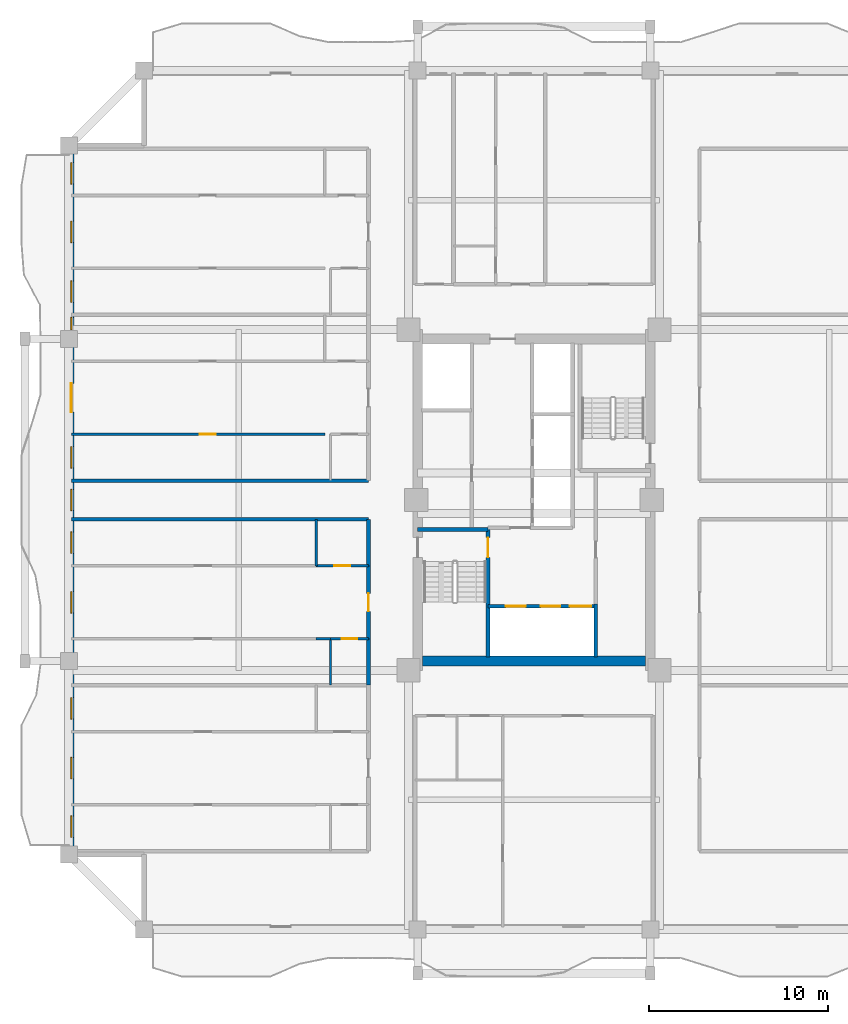
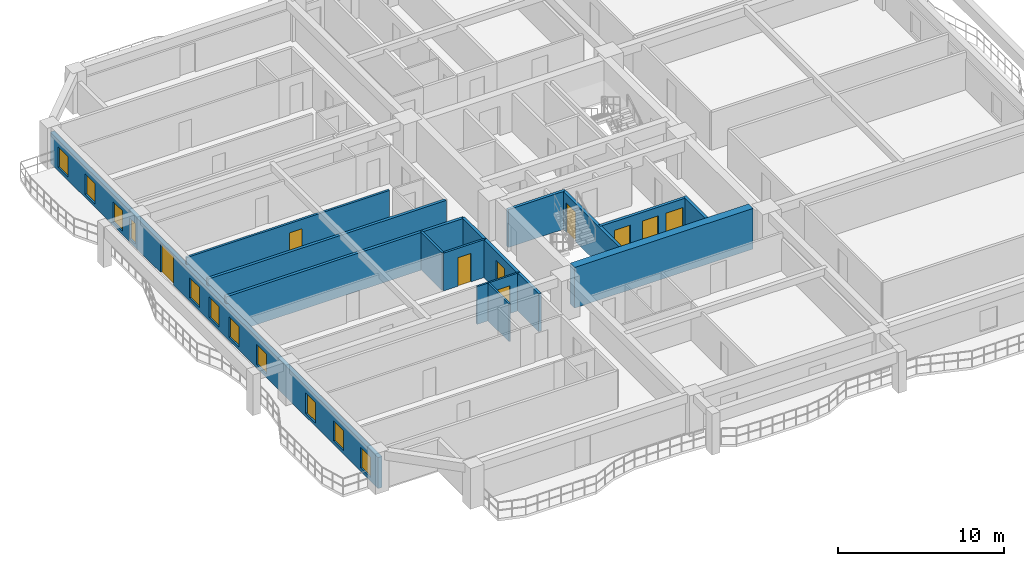
# One storey, part 3 of 11: 17 walls, 11 windows, 9 doors, 20 openings.
"""IFC4 building model written with IfcOpenShell, lengths in metres."""

from ifc_helpers import new_model, si_unit, direction, frame, frame_2d, origin, place, context, subcontext, project, spatial, rectangle, extrude, source, transform, mapped, material, layer, layer_set, type_object, element, fill, save


model = new_model("IFC4")

# Units and contexts
model_context = context("Model", 3, precision=1e-05, world=origin(), true_north=direction((0.0, 1.0)))
body_context = subcontext(model_context, "Body", "Model", "MODEL_VIEW")
ifc_project = project(units=[si_unit("LENGTHUNIT", "METRE"), si_unit("AREAUNIT", "SQUARE_METRE"), si_unit("VOLUMEUNIT", "CUBIC_METRE"), si_unit("PLANEANGLEUNIT", "RADIAN"), si_unit("MASSUNIT", "GRAM", prefix="KILO")], contexts=[model_context])

# Site, building, storey
site_placement = place(None, origin())
site = spatial("IfcSite", under=ifc_project, at=site_placement, CompositionType="ELEMENT")
building_placement = place(site_placement, origin())
building = spatial("IfcBuilding", under=site, at=building_placement, Name="Saelheon Loggia Tower", CompositionType="ELEMENT")
storey_placement = place(building_placement, frame((0.0, 0.0, 138.75)))
storey = spatial("IfcBuildingStorey", under=building, at=storey_placement, Name="L44", CompositionType="ELEMENT", Elevation=138.75)

# Wall
ifc_material_1 = material(Name="Concrete C50/60", Category="concrete")
ifc_layer_1 = layer(ifc_material_1, 0.550048828125)
ifc_layer_set_1 = layer_set([ifc_layer_1], Name="Concrete C50/60")
wall_type_1 = type_object("IfcWallType", Name="Wall_CoreShear_550", PredefinedType="SHEAR", material=ifc_layer_set_1)
wall_1_placement = place(storey_placement, frame((31.77490234375, 18.0, 0.0), z_axis=(0.0, 0.0, 1.0), x_axis=(1.0, 0.0, 0.0)))
element("IfcWall", 1, at=wall_1_placement, inside=storey, type_object=wall_type_1, Name="L44 Core Shear Wall South", PredefinedType="SHEAR", context=body_context, shape_type="SweptSolid", body=[
    extrude(rectangle(XDim=12.4501953125, YDim=0.550048828125, at=frame_2d((6.22509765625, 0.0))), origin(), (0.0, 0.0, 1.0), 3.0),
])

# Wall, openings, windows, door
ifc_material_2 = material(Name="Architectural Precast Concrete C40/50", Category="concrete")
ifc_layer_2 = layer(ifc_material_2, 0.280029296875)
ifc_layer_set_2 = layer_set([ifc_layer_2], Name="Architectural Precast Concrete C40/50")
wall_type_2 = type_object("IfcWallType", Name="Wall_Ext_Loggia_280", PredefinedType="SOLIDWALL", material=ifc_layer_set_2)
wall_2_placement = place(storey_placement, frame((12.139892578125, 7.199951171875, 0.0), z_axis=(0.0, 0.0, 1.0), x_axis=(0.0, 1.0, 0.0)))
wall_2 = element("IfcWall", 2, at=wall_2_placement, inside=storey, type_object=wall_type_2, Name="L44 West Loggia Inner Wall", PredefinedType="SOLIDWALL", context=body_context, shape_type="SweptSolid", body=[
    extrude(rectangle(XDim=39.60009765625, YDim=0.280029296875, at=frame_2d((19.800048828125, 0.0))), origin(), (0.0, 0.0, 1.0), 2.280029296875),
])
opening_1_placement = place(wall_2_placement, frame((0.9453125, 0.0, 0.25)))
opening_1 = element("IfcOpeningElement", 3, at=opening_1_placement, cuts=wall_2, Name="Opening WN-03", PredefinedType="OPENING", context=body_context, shape_type="SweptSolid", body=[
    extrude(rectangle(XDim=1.199951171875, YDim=1.5, at=frame_2d((0.60009765625, 0.75))), frame((0.0, 0.152099609375, 0.0), z_axis=(0.0, -1.0, 0.0), x_axis=(1.0, 0.0, 0.0)), (0.0, 0.0, 1.0), 0.303955078125),
])
opening_2_placement = place(wall_2_placement, frame((4.212890625, 0.0, 0.25)))
opening_2 = element("IfcOpeningElement", 4, at=opening_2_placement, cuts=wall_2, Name="Opening WN-03", PredefinedType="OPENING", context=body_context, shape_type="SweptSolid", body=[
    extrude(rectangle(XDim=1.199951171875, YDim=1.5, at=frame_2d((0.60009765625, 0.75))), frame((0.0, 0.152099609375, 0.0), z_axis=(0.0, -1.0, 0.0), x_axis=(1.0, 0.0, 0.0)), (0.0, 0.0, 1.0), 0.303955078125),
])
opening_3_placement = place(wall_2_placement, frame((7.550048828125, 0.0, 0.25)))
opening_3 = element("IfcOpeningElement", 5, at=opening_3_placement, cuts=wall_2, Name="Opening WN-03", PredefinedType="OPENING", context=body_context, shape_type="SweptSolid", body=[
    extrude(rectangle(XDim=1.199951171875, YDim=1.5, at=frame_2d((0.60009765625, 0.75))), frame((0.0, 0.152099609375, 0.0), z_axis=(0.0, -1.0, 0.0), x_axis=(1.0, 0.0, 0.0)), (0.0, 0.0, 1.0), 0.303955078125),
])
opening_4_placement = place(wall_2_placement, frame((13.48291015625, 0.0, 0.25)))
opening_4 = element("IfcOpeningElement", 6, at=opening_4_placement, cuts=wall_2, Name="Opening WN-03", PredefinedType="OPENING", context=body_context, shape_type="SweptSolid", body=[
    extrude(rectangle(XDim=1.199951171875, YDim=1.5, at=frame_2d((0.60009765625, 0.75))), frame((0.0, 0.152099609375, 0.0), z_axis=(0.0, -1.0, 0.0), x_axis=(1.0, 0.0, 0.0)), (0.0, 0.0, 1.0), 0.303955078125),
])
opening_5_placement = place(wall_2_placement, frame((16.820068359375, 0.0, 0.25)))
opening_5 = element("IfcOpeningElement", 7, at=opening_5_placement, cuts=wall_2, Name="Opening WN-03", PredefinedType="OPENING", context=body_context, shape_type="SweptSolid", body=[
    extrude(rectangle(XDim=1.199951171875, YDim=1.5, at=frame_2d((0.60009765625, 0.75))), frame((0.0, 0.152099609375, 0.0), z_axis=(0.0, -1.0, 0.0), x_axis=(1.0, 0.0, 0.0)), (0.0, 0.0, 1.0), 0.303955078125),
])
opening_6_placement = place(wall_2_placement, frame((19.199951171875, 0.0, 0.25)))
opening_6 = element("IfcOpeningElement", 8, at=opening_6_placement, cuts=wall_2, Name="Opening WN-03", PredefinedType="OPENING", context=body_context, shape_type="SweptSolid", body=[
    extrude(rectangle(XDim=1.199951171875, YDim=1.5, at=frame_2d((0.60009765625, 0.75))), frame((0.0, 0.152099609375, 0.0), z_axis=(0.0, -1.0, 0.0), x_axis=(1.0, 0.0, 0.0)), (0.0, 0.0, 1.0), 0.303955078125),
])
opening_7_placement = place(wall_2_placement, frame((21.577880859375, 0.0, 0.25)))
opening_7 = element("IfcOpeningElement", 9, at=opening_7_placement, cuts=wall_2, Name="Opening WN-03", PredefinedType="OPENING", context=body_context, shape_type="SweptSolid", body=[
    extrude(rectangle(XDim=1.199951171875, YDim=1.5, at=frame_2d((0.60009765625, 0.75))), frame((0.0, 0.152099609375, 0.0), z_axis=(0.0, -1.0, 0.0), x_axis=(1.0, 0.0, 0.0)), (0.0, 0.0, 1.0), 0.303955078125),
])
opening_8_placement = place(wall_2_placement, frame((24.712890625, 0.0, 0.0)))
opening_8 = element("IfcOpeningElement", 10, at=opening_8_placement, cuts=wall_2, Name="Opening DLG-1", PredefinedType="OPENING", context=body_context, shape_type="SweptSolid", body=[
    extrude(rectangle(XDim=1.60009765625, YDim=2.14990234375, at=frame_2d((0.800048828125, 1.074951171875))), frame((0.0, 0.152099609375, 0.0), z_axis=(0.0, -1.0, 0.0), x_axis=(1.0, 0.0, 0.0)), (0.0, 0.0, 1.0), 0.303955078125),
])
opening_9_placement = place(wall_2_placement, frame((29.304931640625, 0.0, 0.25)))
opening_9 = element("IfcOpeningElement", 11, at=opening_9_placement, cuts=wall_2, Name="Opening WN-06", PredefinedType="OPENING", context=body_context, shape_type="SweptSolid", body=[
    extrude(rectangle(XDim=0.699951171875, YDim=1.5, at=frame_2d((0.35009765625, 0.75))), frame((0.0, 0.152099609375, 0.0), z_axis=(0.0, -1.0, 0.0), x_axis=(1.0, 0.0, 0.0)), (0.0, 0.0, 1.0), 0.303955078125),
])
opening_10_placement = place(wall_2_placement, frame((30.847900390625, 0.0, 0.25)))
opening_10 = element("IfcOpeningElement", 12, at=opening_10_placement, cuts=wall_2, Name="Opening WN-03", PredefinedType="OPENING", context=body_context, shape_type="SweptSolid", body=[
    extrude(rectangle(XDim=1.199951171875, YDim=1.5, at=frame_2d((0.60009765625, 0.75))), frame((0.0, 0.152099609375, 0.0), z_axis=(0.0, -1.0, 0.0), x_axis=(1.0, 0.0, 0.0)), (0.0, 0.0, 1.0), 0.303955078125),
])
opening_11_placement = place(wall_2_placement, frame((34.182861328125, 0.0, 0.25)))
opening_11 = element("IfcOpeningElement", 13, at=opening_11_placement, cuts=wall_2, Name="Opening WN-03", PredefinedType="OPENING", context=body_context, shape_type="SweptSolid", body=[
    extrude(rectangle(XDim=1.199951171875, YDim=1.5, at=frame_2d((0.60009765625, 0.75))), frame((0.0, 0.152099609375, 0.0), z_axis=(0.0, -1.0, 0.0), x_axis=(1.0, 0.0, 0.0)), (0.0, 0.0, 1.0), 0.303955078125),
])
opening_12_placement = place(wall_2_placement, frame((37.452392578125, 0.0, 0.25)))
opening_12 = element("IfcOpeningElement", 14, at=opening_12_placement, cuts=wall_2, Name="Opening WN-03", PredefinedType="OPENING", context=body_context, shape_type="SweptSolid", body=[
    extrude(rectangle(XDim=1.199951171875, YDim=1.5, at=frame_2d((0.60009765625, 0.75))), frame((0.0, 0.152099609375, 0.0), z_axis=(0.0, -1.0, 0.0), x_axis=(1.0, 0.0, 0.0)), (0.0, 0.0, 1.0), 0.303955078125),
])
ifc_material_3 = material(Name="Thermal-Break Aluminium and Triple Low-E Glass", Category="aluminium")
window_type_1 = type_object("IfcWindowType", Name="Win_Slot_700x1500", PartitioningType="SINGLE_PANEL", PredefinedType="WINDOW", material=ifc_material_3)
shared_shape_1 = source(origin(), body_context, "Body", "SweptSolid", [
    extrude(rectangle(XDim=0.699951171875, YDim=1.5, at=frame_2d((0.35009765625, 0.75))), frame((0.0, 0.030029296875, 0.0), z_axis=(0.0, -1.0, 0.0), x_axis=(1.0, 0.0, 0.0)), (0.0, 0.0, 1.0), 0.06005859375),
])
window_1_placement = place(opening_9_placement, origin())
window_1 = element("IfcWindow", 15, at=window_1_placement, inside=storey, type_object=window_type_1, Name="L44 W Dwelling Window 9", OverallHeight=1.5, OverallWidth=0.699951171875, PartitioningType="SINGLE_PANEL", PredefinedType="WINDOW", context=body_context, shape_type="MappedRepresentation", body=[
    mapped(shared_shape_1, transform((0.0, 0.0, 0.0), scale=1.0)),
])
fill(opening_9, window_1)
window_type_2 = type_object("IfcWindowType", Name="Win_Bedroom_1200x1500", PartitioningType="SINGLE_PANEL", PredefinedType="WINDOW", material=ifc_material_3)
shared_shape_2 = source(origin(), body_context, "Body", "SweptSolid", [
    extrude(rectangle(XDim=1.199951171875, YDim=1.5, at=frame_2d((0.60009765625, 0.75))), frame((0.0, 0.030029296875, 0.0), z_axis=(0.0, -1.0, 0.0), x_axis=(1.0, 0.0, 0.0)), (0.0, 0.0, 1.0), 0.06005859375),
])
window_2_placement = place(opening_1_placement, origin())
window_2 = element("IfcWindow", 16, at=window_2_placement, inside=storey, type_object=window_type_2, Name="L44 W Dwelling Window 1", OverallHeight=1.5, OverallWidth=1.199951171875, PartitioningType="SINGLE_PANEL", PredefinedType="WINDOW", context=body_context, shape_type="MappedRepresentation", body=[
    mapped(shared_shape_2, transform((0.0, 0.0, 0.0), scale=1.0)),
])
fill(opening_1, window_2)
window_3_placement = place(opening_2_placement, origin())
window_3 = element("IfcWindow", 17, at=window_3_placement, inside=storey, type_object=window_type_2, Name="L44 W Dwelling Window 2", OverallHeight=1.5, OverallWidth=1.199951171875, PartitioningType="SINGLE_PANEL", PredefinedType="WINDOW", context=body_context, shape_type="MappedRepresentation", body=[
    mapped(shared_shape_2, transform((0.0, 0.0, 0.0), scale=1.0)),
])
fill(opening_2, window_3)
window_4_placement = place(opening_3_placement, origin())
window_4 = element("IfcWindow", 18, at=window_4_placement, inside=storey, type_object=window_type_2, Name="L44 W Dwelling Window 3", OverallHeight=1.5, OverallWidth=1.199951171875, PartitioningType="SINGLE_PANEL", PredefinedType="WINDOW", context=body_context, shape_type="MappedRepresentation", body=[
    mapped(shared_shape_2, transform((0.0, 0.0, 0.0), scale=1.0)),
])
fill(opening_3, window_4)
window_5_placement = place(opening_4_placement, origin())
window_5 = element("IfcWindow", 19, at=window_5_placement, inside=storey, type_object=window_type_2, Name="L44 W Dwelling Window 4", OverallHeight=1.5, OverallWidth=1.199951171875, PartitioningType="SINGLE_PANEL", PredefinedType="WINDOW", context=body_context, shape_type="MappedRepresentation", body=[
    mapped(shared_shape_2, transform((0.0, 0.0, 0.0), scale=1.0)),
])
fill(opening_4, window_5)
window_6_placement = place(opening_5_placement, origin())
window_6 = element("IfcWindow", 20, at=window_6_placement, inside=storey, type_object=window_type_2, Name="L44 W Dwelling Window 5", OverallHeight=1.5, OverallWidth=1.199951171875, PartitioningType="SINGLE_PANEL", PredefinedType="WINDOW", context=body_context, shape_type="MappedRepresentation", body=[
    mapped(shared_shape_2, transform((0.0, 0.0, 0.0), scale=1.0)),
])
fill(opening_5, window_6)
window_7_placement = place(opening_6_placement, origin())
window_7 = element("IfcWindow", 21, at=window_7_placement, inside=storey, type_object=window_type_2, Name="L44 W Dwelling Window 6", OverallHeight=1.5, OverallWidth=1.199951171875, PartitioningType="SINGLE_PANEL", PredefinedType="WINDOW", context=body_context, shape_type="MappedRepresentation", body=[
    mapped(shared_shape_2, transform((0.0, 0.0, 0.0), scale=1.0)),
])
fill(opening_6, window_7)
window_8_placement = place(opening_7_placement, origin())
window_8 = element("IfcWindow", 22, at=window_8_placement, inside=storey, type_object=window_type_2, Name="L44 W Dwelling Window 7", OverallHeight=1.5, OverallWidth=1.199951171875, PartitioningType="SINGLE_PANEL", PredefinedType="WINDOW", context=body_context, shape_type="MappedRepresentation", body=[
    mapped(shared_shape_2, transform((0.0, 0.0, 0.0), scale=1.0)),
])
fill(opening_7, window_8)
window_9_placement = place(opening_10_placement, origin())
window_9 = element("IfcWindow", 23, at=window_9_placement, inside=storey, type_object=window_type_2, Name="L44 W Dwelling Window 10", OverallHeight=1.5, OverallWidth=1.199951171875, PartitioningType="SINGLE_PANEL", PredefinedType="WINDOW", context=body_context, shape_type="MappedRepresentation", body=[
    mapped(shared_shape_2, transform((0.0, 0.0, 0.0), scale=1.0)),
])
fill(opening_10, window_9)
window_10_placement = place(opening_11_placement, origin())
window_10 = element("IfcWindow", 24, at=window_10_placement, inside=storey, type_object=window_type_2, Name="L44 W Dwelling Window 11", OverallHeight=1.5, OverallWidth=1.199951171875, PartitioningType="SINGLE_PANEL", PredefinedType="WINDOW", context=body_context, shape_type="MappedRepresentation", body=[
    mapped(shared_shape_2, transform((0.0, 0.0, 0.0), scale=1.0)),
])
fill(opening_11, window_10)
window_11_placement = place(opening_12_placement, origin())
window_11 = element("IfcWindow", 25, at=window_11_placement, inside=storey, type_object=window_type_2, Name="L44 W Dwelling Window 12", OverallHeight=1.5, OverallWidth=1.199951171875, PartitioningType="SINGLE_PANEL", PredefinedType="WINDOW", context=body_context, shape_type="MappedRepresentation", body=[
    mapped(shared_shape_2, transform((0.0, 0.0, 0.0), scale=1.0)),
])
fill(opening_12, window_11)
ifc_material_4 = material(Name="Thermal-Break Aluminium Sliding Glazed Door", Category="aluminium")
door_type_1 = type_object("IfcDoorType", Name="Door_LoggiaSlide_1600", OperationType="SLIDING_TO_LEFT", PredefinedType="DOOR", material=ifc_material_4)
shared_shape_3 = source(origin(), body_context, "Body", "SweptSolid", [
    extrude(rectangle(XDim=1.60009765625, YDim=2.14990234375, at=frame_2d((0.800048828125, 1.074951171875))), frame((0.0, 0.02490234375, 0.0), z_axis=(0.0, -1.0, 0.0), x_axis=(1.0, 0.0, 0.0)), (0.0, 0.0, 1.0), 0.050048828125),
])
door_1_placement = place(opening_8_placement, origin())
door_1 = element("IfcDoor", 26, at=door_1_placement, inside=storey, type_object=door_type_1, Name="L44 W Loggia Access Door", OperationType="SLIDING_TO_LEFT", OverallHeight=2.14990234375, OverallWidth=1.60009765625, PredefinedType="DOOR", context=body_context, shape_type="MappedRepresentation", body=[
    mapped(shared_shape_3, transform((0.0, 0.0, 0.0), scale=1.0)),
])
fill(opening_8, door_1)

# Wall
ifc_material_5 = material(Name="Lightweight Autoclaved Aerated Concrete Block and Acoustic Gypsum", Category="concrete")
ifc_layer_3 = layer(ifc_material_5, 0.14990234375)
ifc_layer_set_3 = layer_set([ifc_layer_3], Name="Lightweight Autoclaved Aerated Concrete Block and Acoustic Gypsum")
wall_type_3 = type_object("IfcWallType", Name="Wall_Part_150", PredefinedType="PARTITIONING", material=ifc_layer_set_3)
wall_3_placement = place(storey_placement, frame((25.830078125, 23.320068359375, 0.0), z_axis=(0.0, 0.0, 1.0), x_axis=(0.0, 1.0, 0.0)))
element("IfcWall", 27, at=wall_3_placement, inside=storey, type_object=wall_type_3, Name="L44 WS Partition V18", PredefinedType="PARTITIONING", context=body_context, shape_type="SweptSolid", body=[
    extrude(rectangle(XDim=2.599853515625, YDim=0.14990234375, at=frame_2d((1.2998046875, 0.0))), origin(), (0.0, 0.0, 1.0), 2.7900390625),
])

# Wall, opening, door
wall_4_placement = place(storey_placement, frame((28.75, 23.320068359375, 0.0), z_axis=(0.0, 0.0, 1.0), x_axis=(-1.0, 0.0, 0.0)))
wall_4 = element("IfcWall", 28, at=wall_4_placement, inside=storey, type_object=wall_type_3, Name="L44 WS Partition U22", PredefinedType="PARTITIONING", context=body_context, shape_type="SweptSolid", body=[
    extrude(rectangle(XDim=2.919921875, YDim=0.14990234375, at=frame_2d((1.4599609375, 0.0))), origin(), (0.0, 0.0, 1.0), 2.7900390625),
])
opening_13_placement = place(wall_4_placement, frame((1.010009765625, 0.0, 0.0)))
opening_13 = element("IfcOpeningElement", 29, at=opening_13_placement, cuts=wall_4, Name="Opening D-IN2", PredefinedType="OPENING", context=body_context, shape_type="SweptSolid", body=[
    extrude(rectangle(XDim=0.89990234375, YDim=2.10009765625, at=frame_2d((0.449951171875, 1.050048828125))), frame((0.0, 0.0869140625, 0.0), z_axis=(0.0, -1.0, 0.0), x_axis=(1.0, 0.0, 0.0)), (0.0, 0.0, 1.0), 0.173828125),
])
ifc_material_6 = material(Name="Engineered Oak Flush Door", Category="timber")
door_type_2 = type_object("IfcDoorType", Name="Door_Int_900", OperationType="NOTDEFINED", PredefinedType="DOOR", material=ifc_material_6)
shared_shape_4 = source(origin(), body_context, "Body", "SweptSolid", [
    extrude(rectangle(XDim=0.89990234375, YDim=2.10009765625, at=frame_2d((0.449951171875, 1.050048828125))), frame((0.0, 0.02490234375, 0.0), z_axis=(0.0, -1.0, 0.0), x_axis=(1.0, 0.0, 0.0)), (0.0, 0.0, 1.0), 0.050048828125),
])
door_2_placement = place(opening_13_placement, origin())
door_2 = element("IfcDoor", 30, at=door_2_placement, inside=storey, type_object=door_type_2, Name="Unit U03 Dressing Closet Door", OperationType="SINGLE_SWING_LEFT", OverallHeight=2.10009765625, OverallWidth=0.89990234375, PredefinedType="DOOR", context=body_context, shape_type="MappedRepresentation", body=[
    mapped(shared_shape_4, transform((0.0, 0.0, 0.0), scale=1.0)),
])
fill(opening_13, door_2)

wall_5_placement = place(storey_placement, frame((26.31005859375, 30.675537109375, 0.0), z_axis=(0.0, 0.0, 1.0), x_axis=(-1.0, 0.0, 0.0)))
wall_5 = element("IfcWall", 31, at=wall_5_placement, inside=storey, type_object=wall_type_3, Name="L44 WN Partition U09", PredefinedType="PARTITIONING", context=body_context, shape_type="SweptSolid", body=[
    extrude(rectangle(XDim=14.16015625, YDim=0.14990234375, at=frame_2d((7.080078125, 0.0))), origin(), (0.0, 0.0, 1.0), 2.7900390625),
])
opening_14_placement = place(wall_5_placement, frame((6.097412109375, 0.0, 0.0)))
opening_14 = element("IfcOpeningElement", 32, at=opening_14_placement, cuts=wall_5, Name="Opening D-IN2", PredefinedType="OPENING", context=body_context, shape_type="SweptSolid", body=[
    extrude(rectangle(XDim=0.89990234375, YDim=2.10009765625, at=frame_2d((0.449951171875, 1.050048828125))), frame((0.0, 0.0869140625, 0.0), z_axis=(0.0, -1.0, 0.0), x_axis=(1.0, 0.0, 0.0)), (0.0, 0.0, 1.0), 0.173828125),
])
door_3_placement = place(opening_14_placement, origin())
door_3 = element("IfcDoor", 33, at=door_3_placement, inside=storey, type_object=door_type_2, Name="Unit U04 Kitchen Door", OperationType="SINGLE_SWING_LEFT", OverallHeight=2.10009765625, OverallWidth=0.89990234375, PredefinedType="DOOR", context=body_context, shape_type="MappedRepresentation", body=[
    mapped(shared_shape_4, transform((0.0, 0.0, 0.0), scale=1.0)),
])
fill(opening_14, door_3)

# Walls
ifc_material_7 = material(Name="Double Acoustic Stud and Fireboard Partition", Category="gypsum")
ifc_layer_4 = layer(ifc_material_7, 0.199951171875)
ifc_layer_set_4 = layer_set([ifc_layer_4], Name="Double Acoustic Stud and Fireboard Partition")
wall_type_4 = type_object("IfcWallType", Name="Wall_Party_200", PredefinedType="PARTITIONING", material=ifc_layer_set_4)
wall_6_placement = place(storey_placement, frame((28.75, 25.919921875, 0.0), z_axis=(0.0, 0.0, 1.0), x_axis=(-1.0, 0.0, 0.0)))
element("IfcWall", 34, at=wall_6_placement, inside=storey, type_object=wall_type_4, Name="L44 WS Partition U02", PredefinedType="PARTITIONING", context=body_context, shape_type="SweptSolid", body=[
    extrude(rectangle(XDim=16.60009765625, YDim=0.199951171875, at=frame_2d((8.300048828125, 0.0))), origin(), (0.0, 0.0, 1.0), 2.7900390625),
])
wall_7_placement = place(storey_placement, frame((28.75, 16.64990234375, 0.0), z_axis=(0.0, 0.0, 1.0), x_axis=(0.0, 1.0, 0.0)))
element("IfcWall", 35, at=wall_7_placement, inside=storey, type_object=wall_type_4, Name="L44 WS Partition V14", PredefinedType="PARTITIONING", context=body_context, shape_type="SweptSolid", body=[
    extrude(rectangle(XDim=2.595703125, YDim=0.199951171875, at=frame_2d((1.2978515625, 0.0))), origin(), (0.0, 0.0, 1.0), 2.7900390625),
])

# Wall, opening, door
wall_8_placement = place(storey_placement, frame((28.75, 19.24560546875, 0.0), z_axis=(0.0, 0.0, 1.0), x_axis=(0.0, 1.0, 0.0)))
wall_8 = element("IfcWall", 36, at=wall_8_placement, inside=storey, type_object=wall_type_4, Name="L44 WS Partition V15", PredefinedType="PARTITIONING", context=body_context, shape_type="SweptSolid", body=[
    extrude(rectangle(XDim=4.074462890625, YDim=0.199951171875, at=frame_2d((2.037109375, 0.0))), origin(), (0.0, 0.0, 1.0), 2.7900390625),
])
opening_15_placement = place(wall_8_placement, frame((1.537109375, 0.0, 0.0)))
opening_15 = element("IfcOpeningElement", 37, at=opening_15_placement, cuts=wall_8, Name="Opening D-FD1", PredefinedType="OPENING", context=body_context, shape_type="SweptSolid", body=[
    extrude(rectangle(XDim=1.0, YDim=2.14990234375, at=frame_2d((0.5, 1.074951171875))), frame((0.0, 0.112060546875, 0.0), z_axis=(0.0, -1.0, 0.0), x_axis=(1.0, 0.0, 0.0)), (0.0, 0.0, 1.0), 0.223876953125),
])
ifc_material_8 = material(Name="Fire-Rated Engineered Timber Entrance Door", Category="wood")
door_type_3 = type_object("IfcDoorType", Name="Door_Flat_FD30S", OperationType="NOTDEFINED", PredefinedType="DOOR", material=ifc_material_8)
shared_shape_5 = source(origin(), body_context, "Body", "SweptSolid", [
    extrude(rectangle(XDim=1.0, YDim=2.14990234375, at=frame_2d((0.5, 1.074951171875))), frame((0.0, 0.02490234375, 0.0), z_axis=(0.0, -1.0, 0.0), x_axis=(1.0, 0.0, 0.0)), (0.0, 0.0, 1.0), 0.050048828125),
])
door_4_placement = place(opening_15_placement, origin())
door_4 = element("IfcDoor", 38, at=door_4_placement, inside=storey, type_object=door_type_3, Name="Unit U03 Entrance Door", OperationType="SINGLE_SWING_RIGHT", OverallHeight=2.14990234375, OverallWidth=1.0, PredefinedType="DOOR", context=body_context, shape_type="MappedRepresentation", body=[
    mapped(shared_shape_5, transform((0.0, 0.0, 0.0), scale=1.0)),
])
fill(opening_15, door_4)

# Walls
wall_9_placement = place(storey_placement, frame((28.75, 23.320068359375, 0.0), z_axis=(0.0, 0.0, 1.0), x_axis=(0.0, 1.0, 0.0)))
element("IfcWall", 39, at=wall_9_placement, inside=storey, type_object=wall_type_4, Name="L44 WS Partition V16", PredefinedType="PARTITIONING", context=body_context, shape_type="SweptSolid", body=[
    extrude(rectangle(XDim=2.599853515625, YDim=0.199951171875, at=frame_2d((1.2998046875, 0.0))), origin(), (0.0, 0.0, 1.0), 2.7900390625),
])
wall_10_placement = place(storey_placement, frame((28.75, 28.080078125, 0.0), z_axis=(0.0, 0.0, 1.0), x_axis=(-1.0, 0.0, 0.0)))
element("IfcWall", 40, at=wall_10_placement, inside=storey, type_object=wall_type_4, Name="L44 WN Partition U01", PredefinedType="PARTITIONING", context=body_context, shape_type="SweptSolid", body=[
    extrude(rectangle(XDim=16.60009765625, YDim=0.199951171875, at=frame_2d((8.300048828125, 0.0))), origin(), (0.0, 0.0, 1.0), 2.7900390625),
])
ifc_material_9 = material(Name="Concrete C40/50", Category="concrete")
ifc_layer_5 = layer(ifc_material_9, 0.199951171875)
ifc_layer_set_5 = layer_set([ifc_layer_5], Name="Concrete C40/50")
wall_type_5 = type_object("IfcWallType", Name="Wall_Shaft_200", PredefinedType="PARTITIONING", material=ifc_layer_set_5)
wall_11_placement = place(storey_placement, frame((41.449951171875, 18.219970703125, 0.0), z_axis=(0.0, 0.0, 1.0), x_axis=(0.0, 1.0, 0.0)))
element("IfcWall", 41, at=wall_11_placement, inside=storey, type_object=wall_type_5, Name="CW-INT-L44-BOH-W0", PredefinedType="PARTITIONING", context=body_context, shape_type="SweptSolid", body=[
    extrude(rectangle(XDim=2.9599609375, YDim=0.199951171875, at=frame_2d((1.47998046875, 0.0))), origin(), (0.0, 0.0, 1.0), 2.7900390625),
])

# Wall, openings, doors
wall_12_placement = place(storey_placement, frame((35.429931640625, 21.06005859375, 0.0), z_axis=(0.0, 0.0, 1.0), x_axis=(1.0, 0.0, 0.0)))
wall_12 = element("IfcWall", 42, at=wall_12_placement, inside=storey, type_object=wall_type_5, Name="L44 Firefighting Lift Shaft Front Wall", PredefinedType="PARTITIONING", context=body_context, shape_type="SweptSolid", body=[
    extrude(rectangle(XDim=6.02001953125, YDim=0.199951171875, at=frame_2d((3.010009765625, 0.0))), origin(), (0.0, 0.0, 1.0), 2.7900390625),
])
opening_16_placement = place(wall_12_placement, frame((1.0, 0.0, 0.0)))
opening_16 = element("IfcOpeningElement", 43, at=opening_16_placement, cuts=wall_12, Name="Opening LD2", PredefinedType="OPENING", context=body_context, shape_type="SweptSolid", body=[
    extrude(rectangle(XDim=1.10009765625, YDim=2.14990234375, at=frame_2d((0.550048828125, 1.074951171875))), frame((0.0, 0.112060546875, 0.0), z_axis=(0.0, -1.0, 0.0), x_axis=(1.0, 0.0, 0.0)), (0.0, 0.0, 1.0), 0.223876953125),
])
opening_17_placement = place(wall_12_placement, frame((2.949951171875, 0.0, 0.0)))
opening_17 = element("IfcOpeningElement", 44, at=opening_17_placement, cuts=wall_12, Name="Opening LD2", PredefinedType="OPENING", context=body_context, shape_type="SweptSolid", body=[
    extrude(rectangle(XDim=1.10009765625, YDim=2.14990234375, at=frame_2d((0.550048828125, 1.074951171875))), frame((0.0, 0.112060546875, 0.0), z_axis=(0.0, -1.0, 0.0), x_axis=(1.0, 0.0, 0.0)), (0.0, 0.0, 1.0), 0.223876953125),
])
opening_18_placement = place(wall_12_placement, frame((4.580078125, 0.0, 0.0)))
opening_18 = element("IfcOpeningElement", 45, at=opening_18_placement, cuts=wall_12, Name="Opening LD3", PredefinedType="OPENING", context=body_context, shape_type="SweptSolid", body=[
    extrude(rectangle(XDim=1.199951171875, YDim=2.14990234375, at=frame_2d((0.60009765625, 1.074951171875))), frame((0.0, 0.112060546875, 0.0), z_axis=(0.0, -1.0, 0.0), x_axis=(1.0, 0.0, 0.0)), (0.0, 0.0, 1.0), 0.223876953125),
])
ifc_material_10 = material(Name="Firefighting Stainless Steel 316 Landing Door", Category="steel")
door_type_4 = type_object("IfcDoorType", Name="Door_Lift_LD2", OperationType="DOUBLE_DOOR_SLIDING", PredefinedType="DOOR", material=ifc_material_10)
shared_shape_6 = source(origin(), body_context, "Body", "SweptSolid", [
    extrude(rectangle(XDim=1.10009765625, YDim=2.14990234375, at=frame_2d((0.550048828125, 1.074951171875))), frame((0.0, 0.02490234375, 0.0), z_axis=(0.0, -1.0, 0.0), x_axis=(1.0, 0.0, 0.0)), (0.0, 0.0, 1.0), 0.050048828125),
])
door_5_placement = place(opening_16_placement, origin())
door_5 = element("IfcDoor", 46, at=door_5_placement, inside=storey, type_object=door_type_4, Name="L44 FF1 Landing Door", OperationType="DOUBLE_DOOR_SLIDING", OverallHeight=2.14990234375, OverallWidth=1.10009765625, PredefinedType="DOOR", context=body_context, shape_type="MappedRepresentation", body=[
    mapped(shared_shape_6, transform((0.0, 0.0, 0.0), scale=1.0)),
])
fill(opening_16, door_5)
door_6_placement = place(opening_17_placement, origin())
door_6 = element("IfcDoor", 47, at=door_6_placement, inside=storey, type_object=door_type_4, Name="L44 FF2 Landing Door", OperationType="DOUBLE_DOOR_SLIDING", OverallHeight=2.14990234375, OverallWidth=1.10009765625, PredefinedType="DOOR", context=body_context, shape_type="MappedRepresentation", body=[
    mapped(shared_shape_6, transform((0.0, 0.0, 0.0), scale=1.0)),
])
fill(opening_17, door_6)
ifc_material_11 = material(Name="Stretcher Lift Stainless Steel 304 Landing Door", Category="steel")
door_type_5 = type_object("IfcDoorType", Name="Door_Lift_LD3", OperationType="DOUBLE_DOOR_SLIDING", PredefinedType="DOOR", material=ifc_material_11)
shared_shape_7 = source(origin(), body_context, "Body", "SweptSolid", [
    extrude(rectangle(XDim=1.199951171875, YDim=2.14990234375, at=frame_2d((0.60009765625, 1.074951171875))), frame((0.0, 0.02490234375, 0.0), z_axis=(0.0, -1.0, 0.0), x_axis=(1.0, 0.0, 0.0)), (0.0, 0.0, 1.0), 0.050048828125),
])
door_7_placement = place(opening_18_placement, origin())
door_7 = element("IfcDoor", 48, at=door_7_placement, inside=storey, type_object=door_type_5, Name="L44 SV1 Landing Door", OperationType="DOUBLE_DOOR_SLIDING", OverallHeight=2.14990234375, OverallWidth=1.199951171875, PredefinedType="DOOR", context=body_context, shape_type="MappedRepresentation", body=[
    mapped(shared_shape_7, transform((0.0, 0.0, 0.0), scale=1.0)),
])
fill(opening_18, door_7)

# Wall, opening, door
ifc_material_12 = material(Name="Concrete C45/55", Category="concrete")
ifc_layer_6 = layer(ifc_material_12, 0.199951171875)
ifc_layer_set_6 = layer_set([ifc_layer_6], Name="Concrete C45/55")
wall_type_6 = type_object("IfcWallType", Name="Wall_StairShaft_RC200", PredefinedType="SOLIDWALL", material=ifc_layer_set_6)
wall_13_placement = place(storey_placement, frame((35.429931640625, 18.219970703125, 0.0), z_axis=(0.0, 0.0, 1.0), x_axis=(0.0, 1.0, 0.0)))
wall_13 = element("IfcWall", 49, at=wall_13_placement, inside=storey, type_object=wall_type_6, Name="L44 Stair ST1 Shaft Wall", PredefinedType="SOLIDWALL", context=body_context, shape_type="SweptSolid", body=[
    extrude(rectangle(XDim=7.219970703125, YDim=0.199951171875, at=frame_2d((3.60986328125, 0.0))), origin(), (0.0, 0.0, 1.0), 2.7900390625),
])
opening_19_placement = place(wall_13_placement, frame((6.68017578125, 0.0, 0.0), z_axis=(0.0, 0.0, 1.0), x_axis=(-1.0, 0.0, 0.0)))
opening_19 = element("IfcOpeningElement", 50, at=opening_19_placement, cuts=wall_13, Name="Opening D-FD2", PredefinedType="OPENING", context=body_context, shape_type="SweptSolid", body=[
    extrude(rectangle(XDim=1.10009765625, YDim=2.14990234375, at=frame_2d((0.550048828125, 1.074951171875))), frame((0.0, 0.112060546875, 0.0), z_axis=(0.0, -1.0, 0.0), x_axis=(1.0, 0.0, 0.0)), (0.0, 0.0, 1.0), 0.223876953125),
])
ifc_material_13 = material(Name="Galvanised Steel Fire Door", Category="steel")
door_type_6 = type_object("IfcDoorType", Name="Door_Fire_FD60_1100", OperationType="NOTDEFINED", PredefinedType="DOOR", material=ifc_material_13)
door_8_placement = place(opening_19_placement, origin())
door_8 = element("IfcDoor", 51, at=door_8_placement, inside=storey, type_object=door_type_6, Name="L44 Stair ST1 Lobby Door", OperationType="SINGLE_SWING_RIGHT", OverallHeight=2.14990234375, OverallWidth=1.10009765625, PredefinedType="DOOR", context=body_context, shape_type="MappedRepresentation", body=[
    mapped(shared_shape_6, transform((0.0, 0.0, 0.0), scale=1.0)),
])
fill(opening_19, door_8)

# Walls
wall_14_placement = place(storey_placement, frame((31.5, 25.35009765625, 0.0), z_axis=(0.0, 0.0, 1.0), x_axis=(1.0, 0.0, 0.0)))
element("IfcWall", 52, at=wall_14_placement, inside=storey, type_object=wall_type_6, Name="L44 Stair ST1 North Wall", PredefinedType="SOLIDWALL", context=body_context, shape_type="SweptSolid", body=[
    extrude(rectangle(XDim=3.929931640625, YDim=0.199951171875, at=frame_2d((1.96484375, 0.0))), origin(), (0.0, 0.0, 1.0), 2.7900390625),
])
ifc_material_14 = material(Name="Moisture-Resistant Cement Board Partition", Category="gypsum")
ifc_layer_7 = layer(ifc_material_14, 0.1201171875)
ifc_layer_set_7 = layer_set([ifc_layer_7], Name="Moisture-Resistant Cement Board Partition")
wall_type_7 = type_object("IfcWallType", Name="Wall_WetPart_120", PredefinedType="PARTITIONING", material=ifc_layer_set_7)
wall_15_placement = place(storey_placement, frame((26.6298828125, 16.64990234375, 0.0), z_axis=(0.0, 0.0, 1.0), x_axis=(0.0, 1.0, 0.0)))
element("IfcWall", 53, at=wall_15_placement, inside=storey, type_object=wall_type_7, Name="L44 WS Partition V17", PredefinedType="PARTITIONING", context=body_context, shape_type="SweptSolid", body=[
    extrude(rectangle(XDim=2.595703125, YDim=0.1201171875, at=frame_2d((1.2978515625, 0.0))), origin(), (0.0, 0.0, 1.0), 2.7900390625),
])

# Wall, opening, door
wall_16_placement = place(storey_placement, frame((28.75, 19.24560546875, 0.0), z_axis=(0.0, 0.0, 1.0), x_axis=(-1.0, 0.0, 0.0)))
wall_16 = element("IfcWall", 54, at=wall_16_placement, inside=storey, type_object=wall_type_7, Name="L44 WS Partition U19", PredefinedType="PARTITIONING", context=body_context, shape_type="SweptSolid", body=[
    extrude(rectangle(XDim=2.1201171875, YDim=0.1201171875, at=frame_2d((1.06005859375, 0.0))), origin(), (0.0, 0.0, 1.0), 2.7900390625),
])
opening_20_placement = place(wall_16_placement, frame((0.635009765625, 0.0, 0.0)))
opening_20 = element("IfcOpeningElement", 55, at=opening_20_placement, cuts=wall_16, Name="Opening D-BT1", PredefinedType="OPENING", context=body_context, shape_type="SweptSolid", body=[
    extrude(rectangle(XDim=0.85009765625, YDim=2.050048828125, at=frame_2d((0.425048828125, 1.02490234375))), frame((0.0, 0.072021484375, 0.0), z_axis=(0.0, -1.0, 0.0), x_axis=(1.0, 0.0, 0.0)), (0.0, 0.0, 1.0), 0.14404296875),
])
ifc_material_15 = material(Name="Moisture-Resistant Laminate Timber Door", Category="wood")
door_type_7 = type_object("IfcDoorType", Name="Door_Bath_850", OperationType="NOTDEFINED", PredefinedType="DOOR", material=ifc_material_15)
shared_shape_8 = source(origin(), body_context, "Body", "SweptSolid", [
    extrude(rectangle(XDim=0.85009765625, YDim=2.050048828125, at=frame_2d((0.425048828125, 1.02490234375))), frame((0.0, 0.02490234375, 0.0), z_axis=(0.0, -1.0, 0.0), x_axis=(1.0, 0.0, 0.0)), (0.0, 0.0, 1.0), 0.050048828125),
])
door_9_placement = place(opening_20_placement, origin())
door_9 = element("IfcDoor", 56, at=door_9_placement, inside=storey, type_object=door_type_7, Name="Unit U03 Bathroom Door", OperationType="SINGLE_SWING_LEFT", OverallHeight=2.050048828125, OverallWidth=0.85009765625, PredefinedType="DOOR", context=body_context, shape_type="MappedRepresentation", body=[
    mapped(shared_shape_8, transform((0.0, 0.0, 0.0), scale=1.0)),
])
fill(opening_20, door_9)

# Wall
wall_17_placement = place(storey_placement, frame((26.6298828125, 19.24560546875, 0.0), z_axis=(0.0, 0.0, 1.0), x_axis=(-1.0, 0.0, 0.0)))
element("IfcWall", 57, at=wall_17_placement, inside=storey, type_object=wall_type_7, Name="L44 WS Partition U20", PredefinedType="PARTITIONING", context=body_context, shape_type="SweptSolid", body=[
    extrude(rectangle(XDim=0.7998046875, YDim=0.1201171875, at=frame_2d((0.39990234375, 0.0))), origin(), (0.0, 0.0, 1.0), 2.7900390625),
])

save(model, "model.ifc")
